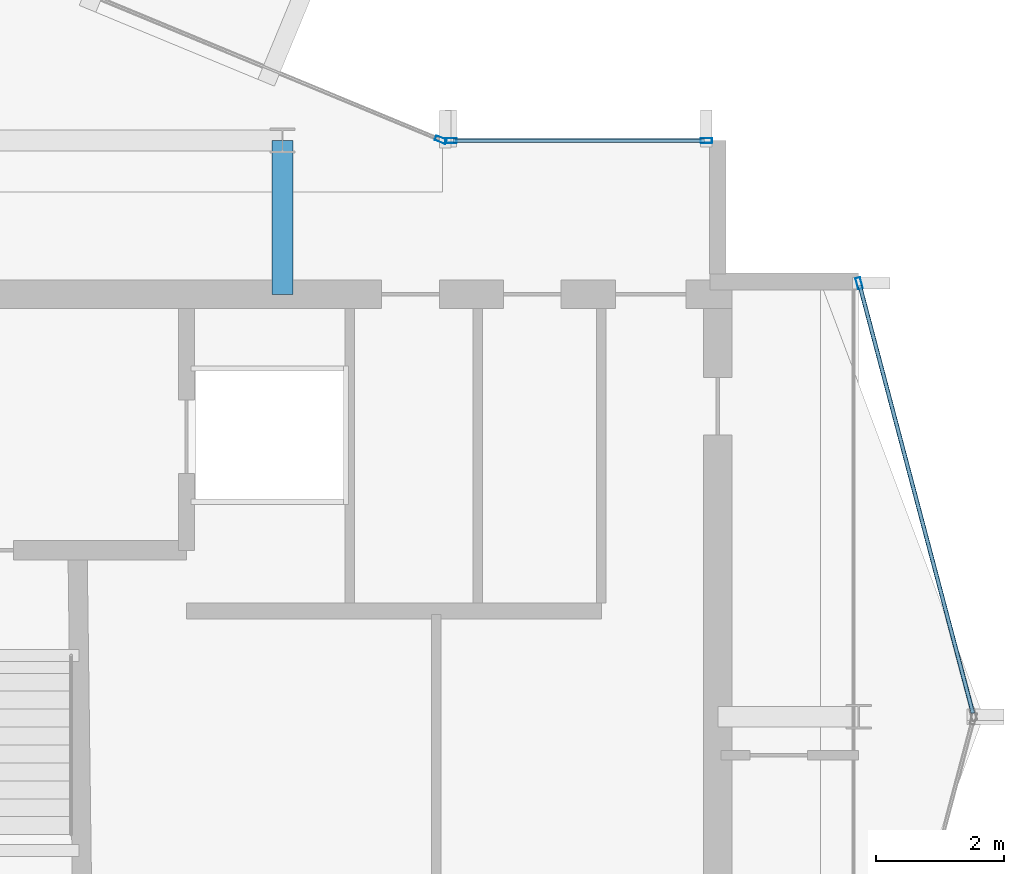
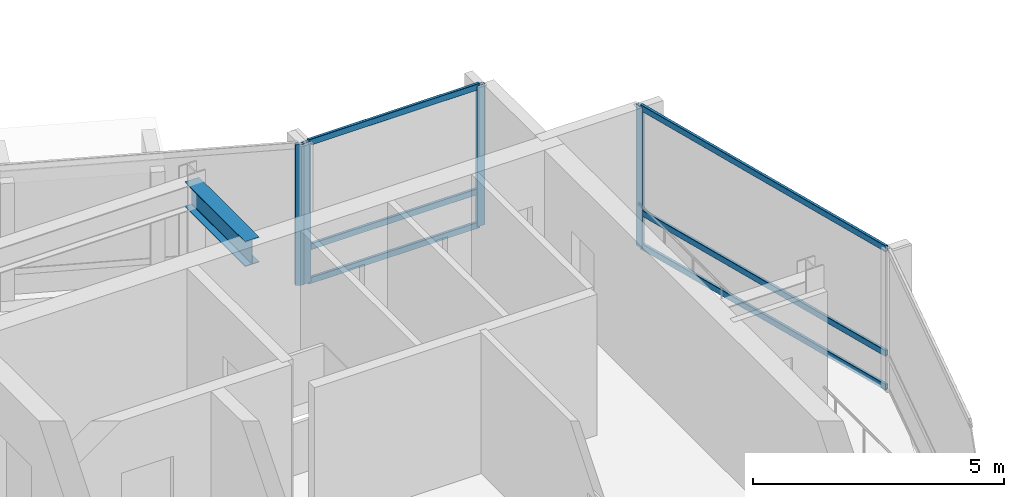
# One storey, part 10 of 19: 10 members, 1 beam, 3 elements without a shape of their own.
"""IFC4 building model written with IfcOpenShell, lengths in metres."""

from ifc_helpers import new_model, si_unit, direction, frame, origin, origin_2d, place, context, subcontext, project, spatial, hollow_rectangle, i_section, extrude, material, layer, layer_set, material_profile, profile_set, type_object, element, aggregate, save


model = new_model("IFC4")

# Units and contexts
model_context = context("Model", 3, precision=1e-05, world=origin(), true_north=direction((0.0, 1.0)))
body_context = subcontext(model_context, "Body", "Model", "MODEL_VIEW")
ifc_project = project(units=[si_unit("LENGTHUNIT", "METRE"), si_unit("AREAUNIT", "SQUARE_METRE"), si_unit("VOLUMEUNIT", "CUBIC_METRE"), si_unit("PLANEANGLEUNIT", "RADIAN"), si_unit("MASSUNIT", "GRAM", prefix="KILO")], contexts=[model_context])

# Site, building, storey
site_placement = place(None, origin())
site = spatial("IfcSite", under=ifc_project, at=site_placement, CompositionType="ELEMENT")
building_placement = place(site_placement, origin())
building = spatial("IfcBuilding", under=site, at=building_placement, Name="Solvaryn Broadcast Tower", CompositionType="ELEMENT")
storey_placement = place(building_placement, frame((0.0, 0.0, 251.89990234375)))
storey = spatial("IfcBuildingStorey", under=building, at=storey_placement, Name="L63", CompositionType="ELEMENT", Elevation=251.89990234375)

# Beam
ifc_material_1 = material(Name="Steel ASTM A992 Grade 50", Category="steel")
ifc_material_profile_1 = material_profile(ifc_material_1, i_section(OverallWidth=0.323974609375, OverallDepth=0.611083984375, WebThickness=0.0126953125, FlangeThickness=0.01904296875, FilletRadius=0.014892578125, at=origin_2d()))
ifc_profile_set_1 = profile_set([ifc_material_profile_1], Name="Steel ASTM A992 Grade 50")
beam_type = type_object("IfcBeamType", Name="BM-B1-W24X104", PredefinedType="BEAM", material=ifc_profile_set_1)
beam_placement = place(storey_placement, frame((36.0, 24.60009765625, 3.114501953125), z_axis=(0.0, 1.0, 0.0), x_axis=(-1.0, 0.0, 0.0)))
element("IfcBeam", 1, at=beam_placement, inside=storey, type_object=beam_type, Name="L63 Core Tie Beam CTE2", PredefinedType="BEAM", context=body_context, shape_type="SweptSolid", body=[
    extrude(i_section(OverallWidth=0.323974609375, OverallDepth=0.611083984375, WebThickness=0.0126953125, FlangeThickness=0.01904296875, FilletRadius=0.014892578125, at=origin_2d()), origin(), (0.0, 0.0, 1.0), 2.39990234375),
])

# Curtain wall, member
ifc_material_2 = material(Name="Aluminium and Terracotta Unitised Curtain Wall", Category="masonry")
ifc_layer = layer(ifc_material_2, 0.199951171875)
ifc_layer_set = layer_set([ifc_layer], Name="CW-SYS2-LOWMID")
curtain_wall_type = type_object("IfcCurtainWallType", Name="CW-SYS2-LOWMID", PredefinedType="NOTDEFINED", material=ifc_layer_set)
curtain_wall_1_placement = place(storey_placement, origin())
curtain_wall_1 = element("IfcCurtainWall", 2, at=curtain_wall_1_placement, inside=storey, type_object=curtain_wall_type, Name="L63 Curtain Wall CN1", PredefinedType="NOTDEFINED")
ifc_material_3 = material(Name="Anodised Aluminium 6063-T6", Category="aluminium")
ifc_material_profile_2 = material_profile(ifc_material_3, hollow_rectangle(XDim=0.074951171875, YDim=0.179931640625, WallThickness=0.00390625, InnerFilletRadius=0.00390625, OuterFilletRadius=0.008056640625, at=origin_2d()))
ifc_profile_set_2 = profile_set([ifc_material_profile_2], Name="Anodised Aluminium 6063-T6")
member_type_1 = type_object("IfcMemberType", Name="CW-MUL-180", PredefinedType="MULLION", material=ifc_profile_set_2)
member_1_placement = place(storey_placement, frame((38.47216796875, 27.011474609375, 0.0), z_axis=(0.0, 0.0, 1.0), x_axis=(-0.382646127145, -0.923894983957, 0.0)))
member_1 = element("IfcMember", 3, at=member_1_placement, type_object=member_type_1, Name="CWS2 mullion 1", PredefinedType="MULLION", context=body_context, shape_type="SweptSolid", body=[
    extrude(hollow_rectangle(XDim=0.074951171875, YDim=0.179931640625, WallThickness=0.00390625, InnerFilletRadius=0.00390625, OuterFilletRadius=0.008056640625, at=origin_2d()), origin(), (0.0, 0.0, 1.0), 3.420166015625),
])
aggregate(curtain_wall_1, [member_1])

curtain_wall_2_placement = place(storey_placement, origin())
curtain_wall_2 = element("IfcCurtainWall", 4, at=curtain_wall_2_placement, inside=storey, type_object=curtain_wall_type, Name="L63 Curtain Wall ET1", PredefinedType="NOTDEFINED")
member_2_placement = place(storey_placement, frame((45.007568359375, 24.77099609375, 0.0), z_axis=(0.0, 0.0, 1.0), x_axis=(0.966705227863, 0.25589256031, 0.0)))
member_2 = element("IfcMember", 5, at=member_2_placement, type_object=member_type_1, Name="CWS2 mullion 1", PredefinedType="MULLION", context=body_context, shape_type="SweptSolid", body=[
    extrude(hollow_rectangle(XDim=0.074951171875, YDim=0.179931640625, WallThickness=0.00390625, InnerFilletRadius=0.00390625, OuterFilletRadius=0.008056640625, at=origin_2d()), origin(), (0.0, 0.0, 1.0), 3.420166015625),
])

# Curtain wall, members
curtain_wall_3_placement = place(storey_placement, origin())
curtain_wall_3 = element("IfcCurtainWall", 6, at=curtain_wall_3_placement, inside=storey, type_object=curtain_wall_type, Name="L63 Curtain Wall IH", PredefinedType="NOTDEFINED")
member_3_placement = place(storey_placement, frame((38.6298828125, 27.0, 0.0), z_axis=(0.0, 0.0, 1.0), x_axis=(0.0, 1.0, 0.0)))
member_3 = element("IfcMember", 7, at=member_3_placement, type_object=member_type_1, Name="CWS2 mullion 1", PredefinedType="MULLION", context=body_context, shape_type="SweptSolid", body=[
    extrude(hollow_rectangle(XDim=0.074951171875, YDim=0.179931640625, WallThickness=0.00390625, InnerFilletRadius=0.00390625, OuterFilletRadius=0.008056640625, at=origin_2d()), origin(), (0.0, 0.0, 1.0), 3.420166015625),
])
member_4_placement = place(storey_placement, frame((42.6201171875, 27.0, 0.0), z_axis=(0.0, 0.0, 1.0), x_axis=(0.0, 1.0, 0.0)))
member_4 = element("IfcMember", 8, at=member_4_placement, type_object=member_type_1, Name="CWS2 mullion 2", PredefinedType="MULLION", context=body_context, shape_type="SweptSolid", body=[
    extrude(hollow_rectangle(XDim=0.074951171875, YDim=0.179931640625, WallThickness=0.00390625, InnerFilletRadius=0.00390625, OuterFilletRadius=0.008056640625, at=origin_2d()), origin(), (0.0, 0.0, 1.0), 3.420166015625),
])

# Member
ifc_material_4 = material(Name="Anodised Aluminium 6063-T6", Category="aluminium")
ifc_material_profile_3 = material_profile(ifc_material_4, hollow_rectangle(XDim=0.06494140625, YDim=0.14990234375, WallThickness=0.00390625, InnerFilletRadius=0.00390625, OuterFilletRadius=0.008056640625, at=origin_2d()))
ifc_profile_set_3 = profile_set([ifc_material_profile_3], Name="Anodised Aluminium 6063-T6")
member_type_2 = type_object("IfcMemberType", Name="CW-TRN-150", PredefinedType="USERDEFINED", material=ifc_profile_set_3)
member_5_placement = place(storey_placement, frame((45.015380859375, 24.741943359375, 0.030029296875), z_axis=(0.255897413051, -0.966703943301, 0.0), x_axis=(0.966703943301, 0.255897413051, 0.0)))
member_5 = element("IfcMember", 9, at=member_5_placement, type_object=member_type_2, Name="CWS2 transom 1.1", ObjectType="TRANSOM", PredefinedType="USERDEFINED", context=body_context, shape_type="SweptSolid", body=[
    extrude(hollow_rectangle(XDim=0.06494140625, YDim=0.14990234375, WallThickness=0.00390625, InnerFilletRadius=0.00390625, OuterFilletRadius=0.008056640625, at=origin_2d()), origin(), (0.0, 0.0, 1.0), 6.9140625),
])

member_6_placement = place(storey_placement, frame((45.015380859375, 24.741943359375, 0.85009765625), z_axis=(0.255897413051, -0.966703943301, 0.0), x_axis=(0.966703943301, 0.255897413051, 0.0)))
member_6 = element("IfcMember", 10, at=member_6_placement, type_object=member_type_2, Name="CWS2 transom 1.2", ObjectType="TRANSOM", PredefinedType="USERDEFINED", context=body_context, shape_type="SweptSolid", body=[
    extrude(hollow_rectangle(XDim=0.06494140625, YDim=0.14990234375, WallThickness=0.00390625, InnerFilletRadius=0.00390625, OuterFilletRadius=0.008056640625, at=origin_2d()), origin(), (0.0, 0.0, 1.0), 6.9140625),
])

member_7_placement = place(storey_placement, frame((45.015380859375, 24.741943359375, 3.39013671875), z_axis=(0.255897413051, -0.966703943301, 0.0), x_axis=(0.966703943301, 0.255897413051, 0.0)))
member_7 = element("IfcMember", 11, at=member_7_placement, type_object=member_type_2, Name="CWS2 transom 1.3", ObjectType="TRANSOM", PredefinedType="USERDEFINED", context=body_context, shape_type="SweptSolid", body=[
    extrude(hollow_rectangle(XDim=0.06494140625, YDim=0.14990234375, WallThickness=0.00390625, InnerFilletRadius=0.00390625, OuterFilletRadius=0.008056640625, at=origin_2d()), origin(), (0.0, 0.0, 1.0), 6.9140625),
])

aggregate(curtain_wall_2, [member_2, member_5, member_6, member_7])

member_8_placement = place(storey_placement, frame((38.659912109375, 27.0, 0.030029296875), z_axis=(1.0, 0.0, 0.0), x_axis=(0.0, 1.0, 0.0)))
member_8 = element("IfcMember", 12, at=member_8_placement, type_object=member_type_2, Name="CWS2 transom 1.1", ObjectType="TRANSOM", PredefinedType="USERDEFINED", context=body_context, shape_type="SweptSolid", body=[
    extrude(hollow_rectangle(XDim=0.06494140625, YDim=0.14990234375, WallThickness=0.00390625, InnerFilletRadius=0.00390625, OuterFilletRadius=0.008056640625, at=origin_2d()), origin(), (0.0, 0.0, 1.0), 3.93017578125),
])

member_9_placement = place(storey_placement, frame((38.659912109375, 27.0, 0.85009765625), z_axis=(1.0, 0.0, 0.0), x_axis=(0.0, 1.0, 0.0)))
member_9 = element("IfcMember", 13, at=member_9_placement, type_object=member_type_2, Name="CWS2 transom 1.2", ObjectType="TRANSOM", PredefinedType="USERDEFINED", context=body_context, shape_type="SweptSolid", body=[
    extrude(hollow_rectangle(XDim=0.06494140625, YDim=0.14990234375, WallThickness=0.00390625, InnerFilletRadius=0.00390625, OuterFilletRadius=0.008056640625, at=origin_2d()), origin(), (0.0, 0.0, 1.0), 3.93017578125),
])

member_10_placement = place(storey_placement, frame((38.659912109375, 27.0, 3.39013671875), z_axis=(1.0, 0.0, 0.0), x_axis=(0.0, 1.0, 0.0)))
member_10 = element("IfcMember", 14, at=member_10_placement, type_object=member_type_2, Name="CWS2 transom 1.3", ObjectType="TRANSOM", PredefinedType="USERDEFINED", context=body_context, shape_type="SweptSolid", body=[
    extrude(hollow_rectangle(XDim=0.06494140625, YDim=0.14990234375, WallThickness=0.00390625, InnerFilletRadius=0.00390625, OuterFilletRadius=0.008056640625, at=origin_2d()), origin(), (0.0, 0.0, 1.0), 3.93017578125),
])

aggregate(curtain_wall_3, [member_3, member_4, member_8, member_9, member_10])

save(model, "model.ifc")
